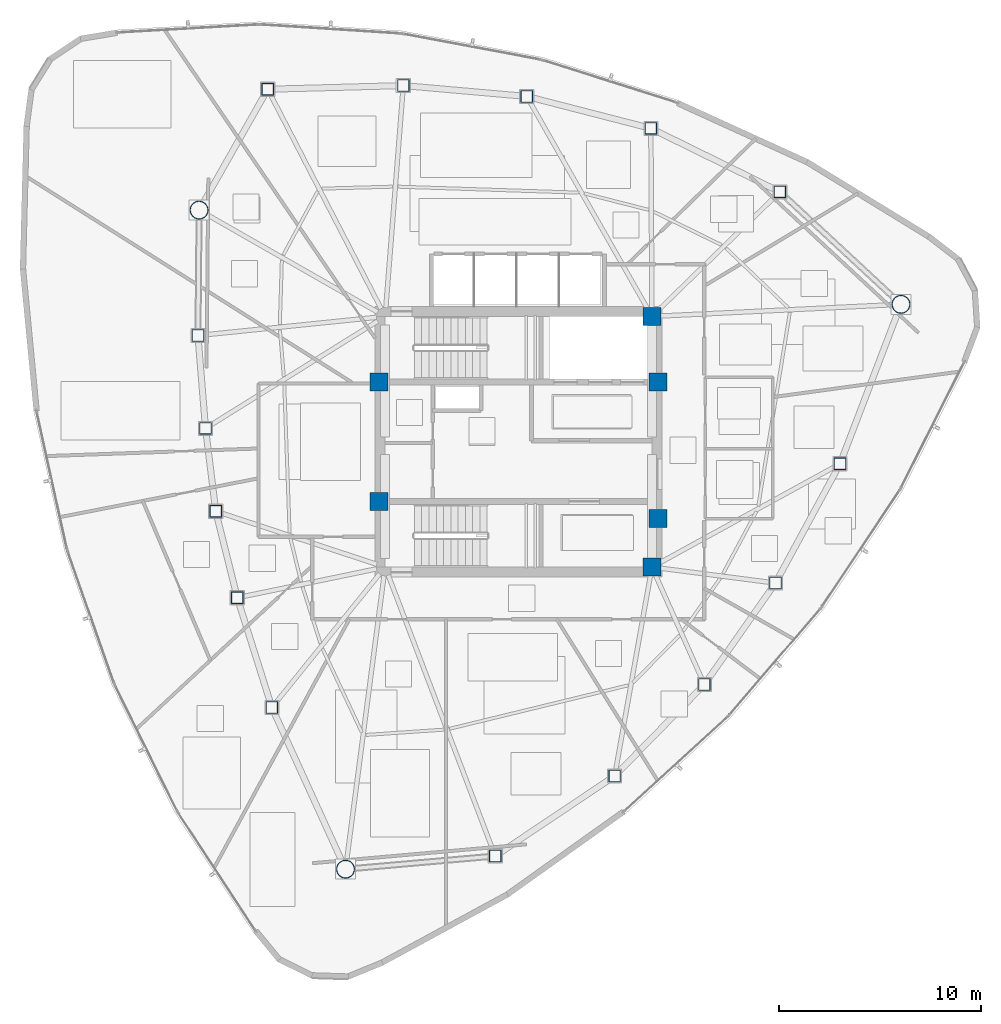
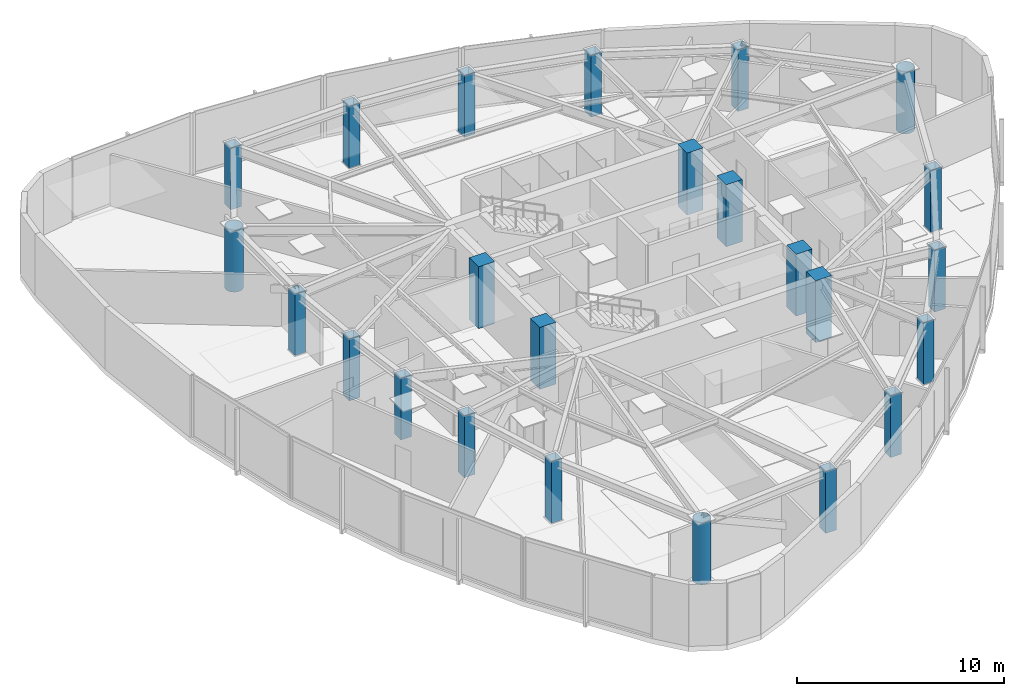
# One storey, part 1 of 14: 24 columns.
"""IFC4 building model written with IfcOpenShell, lengths in metres."""

from ifc_helpers import new_model, si_unit, direction, frame, origin, origin_2d, place, context, subcontext, project, spatial, rectangle, hollow_rectangle, hollow_circle, extrude, material, material_profile, profile_set, type_object, element, save


model = new_model("IFC4")

# Units and contexts
model_context = context("Model", 3, precision=1e-05, world=origin(), true_north=direction((0.0, 1.0)))
body_context = subcontext(model_context, "Body", "Model", "MODEL_VIEW")
ifc_project = project(units=[si_unit("LENGTHUNIT", "METRE"), si_unit("AREAUNIT", "SQUARE_METRE"), si_unit("VOLUMEUNIT", "CUBIC_METRE"), si_unit("PLANEANGLEUNIT", "RADIAN"), si_unit("MASSUNIT", "GRAM", prefix="KILO")], contexts=[model_context])

# Site, building, storey
site_placement = place(None, origin())
site = spatial("IfcSite", under=ifc_project, at=site_placement, CompositionType="ELEMENT")
building_placement = place(site_placement, origin())
building = spatial("IfcBuilding", under=site, at=building_placement, Name="Tavelor Broadcast Tower", CompositionType="ELEMENT")
storey_placement = place(building_placement, frame((0.0, 0.0, 234.0)))
storey = spatial("IfcBuildingStorey", under=building, at=storey_placement, Name="L55", CompositionType="ELEMENT", Elevation=234.0)

# Columns
ifc_material_1 = material(Name="Concrete C50/60", Category="concrete")
ifc_material_profile_1 = material_profile(ifc_material_1, rectangle(XDim=0.89990234375, YDim=0.89990234375, at=origin_2d()), Name="RC 900x900")
ifc_profile_set_1 = profile_set([ifc_material_profile_1], Name="Concrete C50/60")
column_type_1 = type_object("IfcColumnType", Name="Core Embedded Composite Column RC900", PredefinedType="COLUMN", material=ifc_profile_set_1)
for number, where, z_axis, x_axis, name in (
    (1, (43.10009765625, 47.949951171875, 0.0), (0.0, 0.0, 1.0), (1.0, 0.0, 0.0), "L55 Core Embedded Column 1"),
    (2, (56.89990234375, 47.949951171875, 0.0), (0.0, 0.0, 1.0), (1.0, 0.0, 0.0), "L55 Core Embedded Column 2"),
    (3, (56.60009765625, 51.199951171875, 0.0), (0.0, 0.0, 1.0), (1.0, 0.0, 0.0), "L55 Core Embedded Column 3"),
    (4, (43.10009765625, 42.050048828125, 0.0), (0.0, 0.0, 1.0), (1.0, 0.0, 0.0), "L55 Core Embedded Column 4"),
    (5, (56.89990234375, 41.199951171875, 0.0), (0.0, 0.0, 1.0), (1.0, 0.0, 0.0), "L55 Core Embedded Column 5"),
    (6, (56.60009765625, 38.800048828125, 0.0), (0.0, 0.0, 1.0), (1.0, 0.0, 0.0), "L55 Core Embedded Column 6"),
):
    element("IfcColumn", number, at=place(storey_placement, frame(where, z_axis=z_axis, x_axis=x_axis)), inside=storey, type_object=column_type_1, Name=name, PredefinedType="COLUMN", context=body_context, shape_type="SweptSolid", body=[
        extrude(rectangle(XDim=0.89990234375, YDim=0.89990234375, at=origin_2d()), origin(), (0.0, 0.0, 1.0), 3.64990234375),
    ])
ifc_material_2 = material(Name="Steel S460", Category="steel")
ifc_material_profile_2 = material_profile(ifc_material_2, hollow_rectangle(XDim=0.60009765625, YDim=0.60009765625, WallThickness=0.035888671875, at=origin_2d()), Name="SHS 600x600x36")
ifc_profile_set_2 = profile_set([ifc_material_profile_2], Name="Steel S460")
column_type_2 = type_object("IfcColumnType", Name="Perimeter Tube Column T5 SHS 600x600x36", PredefinedType="COLUMN", material=ifc_profile_set_2)
for number, where, z_axis, x_axis, name in (
    (7, (34.13720703125, 50.255859375, 0.0), (0.0, 0.0, 1.0), (1.0, 0.0, 0.0), "L55 Perimeter Framed-Tube Column 02"),
    (8, (34.513671875, 45.66455078125, 0.0), (0.0, 0.0, 1.0), (1.0, 0.0, 0.0), "L55 Perimeter Framed-Tube Column 03"),
    (9, (35.018798828125, 41.56396484375, 0.0), (0.0, 0.0, 1.0), (1.0, 0.0, 0.0), "L55 Perimeter Framed-Tube Column 04"),
    (10, (36.08349609375, 37.2822265625, 0.0), (0.0, 0.0, 1.0), (1.0, 0.0, 0.0), "L55 Perimeter Framed-Tube Column 05"),
    (11, (37.797119140625, 31.853271484375, 0.0), (0.0, 0.0, 1.0), (1.0, 0.0, 0.0), "L55 Perimeter Framed-Tube Column 06"),
    (12, (48.843994140625, 24.5048828125, 0.0), (0.0, 0.0, 1.0), (1.0, 0.0, 0.0), "L55 Perimeter Framed-Tube Column 08"),
    (13, (54.754150390625, 28.461669921875, 0.0), (0.0, 0.0, 1.0), (1.0, 0.0, 0.0), "L55 Perimeter Framed-Tube Column 09"),
    (14, (59.1923828125, 32.987060546875, 0.0), (0.0, 0.0, 1.0), (1.0, 0.0, 0.0), "L55 Perimeter Framed-Tube Column 10"),
    (15, (62.7109375, 38.009033203125, 0.0), (0.0, 0.0, 1.0), (1.0, 0.0, 0.0), "L55 Perimeter Framed-Tube Column 11"),
    (16, (65.9072265625, 43.909423828125, 0.0), (0.0, 0.0, 1.0), (1.0, 0.0, 0.0), "L55 Perimeter Framed-Tube Column 12"),
    (17, (62.92724609375, 57.364013671875, 0.0), (0.0, 0.0, 1.0), (1.0, 0.0, 0.0), "L55 Perimeter Framed-Tube Column 14"),
    (18, (56.545654296875, 60.504150390625, 0.0), (0.0, 0.0, 1.0), (1.0, 0.0, 0.0), "L55 Perimeter Framed-Tube Column 15"),
    (19, (50.4072265625, 62.0849609375, 0.0), (0.0, 0.0, 1.0), (1.0, 0.0, 0.0), "L55 Perimeter Framed-Tube Column 16"),
    (20, (44.298828125, 62.621337890625, 0.0), (0.0, 0.0, 1.0), (1.0, 0.0, 0.0), "L55 Perimeter Framed-Tube Column 17"),
    (21, (37.5908203125, 62.439208984375, 0.0), (0.0, 0.0, 1.0), (1.0, 0.0, 0.0), "L55 Perimeter Framed-Tube Column 18"),
):
    element("IfcColumn", number, at=place(storey_placement, frame(where, z_axis=z_axis, x_axis=x_axis)), inside=storey, type_object=column_type_2, Name=name, PredefinedType="COLUMN", context=body_context, shape_type="SweptSolid", body=[
        extrude(hollow_rectangle(XDim=0.60009765625, YDim=0.60009765625, WallThickness=0.035888671875, at=origin_2d()), origin(), (0.0, 0.0, 1.0), 3.64990234375),
    ])
ifc_material_profile_3 = material_profile(ifc_material_2, hollow_circle(Radius=0.45703125, WallThickness=0.0400390625, at=origin_2d()), Name="CHS 914x40")
ifc_profile_set_3 = profile_set([ifc_material_profile_3], Name="Steel S460")
column_type_3 = type_object("IfcColumnType", Name="Tower Mega Column T5 CHS 914x40", PredefinedType="COLUMN", material=ifc_profile_set_3)
for number, where, z_axis, x_axis, name in (
    (22, (34.1962890625, 56.4599609375, 0.0), (0.0, 0.0, 1.0), (1.0, 0.0, 0.0), "L55 Tower Corner Mega Column 01"),
    (23, (41.440185546875, 23.853759765625, 0.0), (0.0, 0.0, 1.0), (1.0, 0.0, 0.0), "L55 Tower Corner Mega Column 07"),
    (24, (68.919677734375, 51.799072265625, 0.0), (0.0, 0.0, 1.0), (1.0, 0.0, 0.0), "L55 Tower Corner Mega Column 13"),
):
    element("IfcColumn", number, at=place(storey_placement, frame(where, z_axis=z_axis, x_axis=x_axis)), inside=storey, type_object=column_type_3, Name=name, PredefinedType="COLUMN", context=body_context, shape_type="SweptSolid", body=[
        extrude(hollow_circle(Radius=0.45703125, WallThickness=0.0400390625, at=origin_2d()), origin(), (0.0, 0.0, 1.0), 3.64990234375),
    ])

save(model, "model.ifc")
